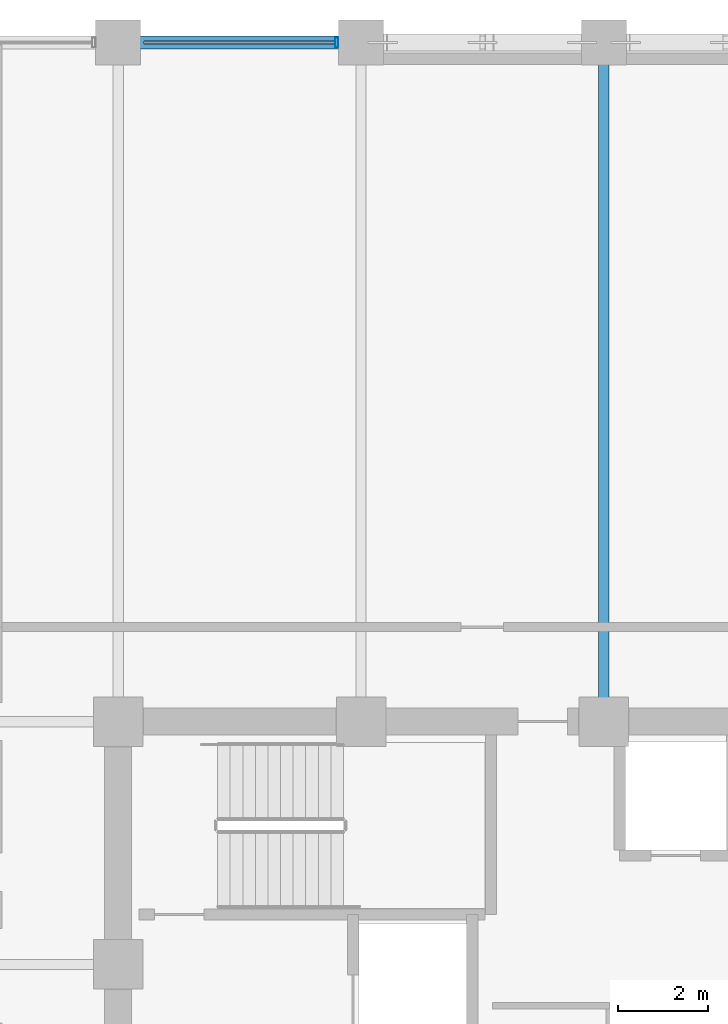
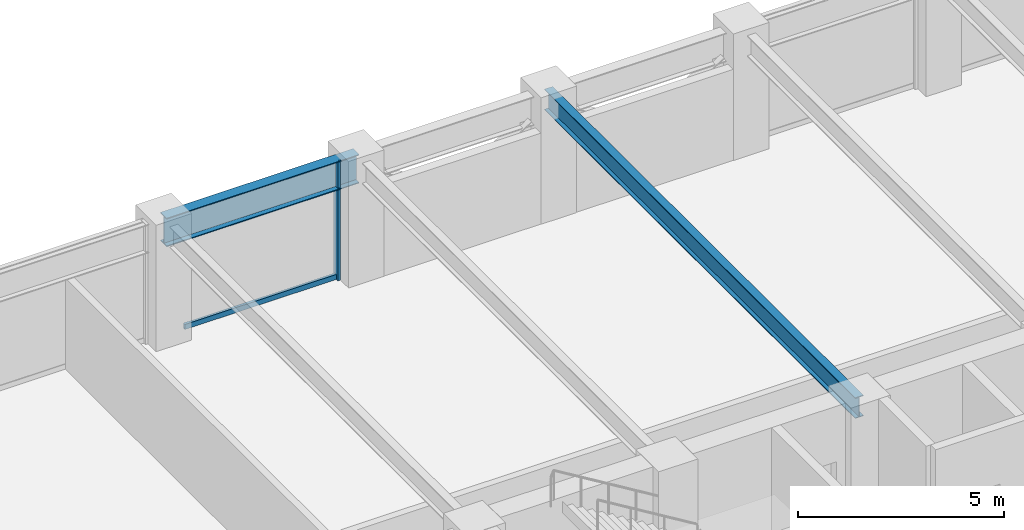
# One storey, part 15 of 29: 2 beams, 2 members, 1 element without a shape of its own.
"""IFC4 building model written with IfcOpenShell, lengths in metres."""

from ifc_helpers import new_model, si_unit, direction, frame, origin, origin_2d, place, context, subcontext, project, spatial, hollow_rectangle, i_section, extrude, material, layer, layer_set, material_profile, profile_set, type_object, element, aggregate, save


model = new_model("IFC4")

# Units and contexts
model_context = context("Model", 3, precision=1e-05, world=origin(), true_north=direction((0.0, 1.0)))
body_context = subcontext(model_context, "Body", "Model", "MODEL_VIEW")
ifc_project = project(units=[si_unit("LENGTHUNIT", "METRE"), si_unit("AREAUNIT", "SQUARE_METRE"), si_unit("VOLUMEUNIT", "CUBIC_METRE"), si_unit("PLANEANGLEUNIT", "RADIAN"), si_unit("MASSUNIT", "GRAM", prefix="KILO")], contexts=[model_context])

# Site, building, storey
site_placement = place(None, origin())
site = spatial("IfcSite", under=ifc_project, at=site_placement, CompositionType="ELEMENT")
building_placement = place(site_placement, origin())
building = spatial("IfcBuilding", under=site, at=building_placement, Name="Surkhivell Harbour Commons", CompositionType="ELEMENT")
storey_placement = place(building_placement, frame((0.0, 0.0, 150.75)))
storey = spatial("IfcBuildingStorey", under=building, at=storey_placement, Name="L39", CompositionType="ELEMENT", Elevation=150.75)

# Beams
ifc_material_1 = material(Name="Steel S355", Category="steel")
ifc_material_profile_1 = material_profile(ifc_material_1, i_section(OverallWidth=0.22998046875, OverallDepth=0.616943359375, WebThickness=0.01318359375, FlangeThickness=0.022216796875, at=origin_2d()), Name="UB610x229x140")
ifc_profile_set_1 = profile_set([ifc_material_profile_1], Name="Steel S355")
beam_type_1 = type_object("IfcBeamType", Name="BM-GRD-610B", PredefinedType="BEAM", material=ifc_profile_set_1)
beam_1_placement = place(storey_placement, frame((0.0, 10.800048828125, 3.261474609375), z_axis=(0.0, 1.0, 0.0), x_axis=(-1.0, 0.0, 0.0)))
element("IfcBeam", 1, at=beam_1_placement, inside=storey, type_object=beam_type_1, Name="L39 Floor Girder (0.0,10.8)", PredefinedType="BEAM", context=body_context, shape_type="SweptSolid", body=[
    extrude(i_section(OverallWidth=0.22998046875, OverallDepth=0.616943359375, WebThickness=0.01318359375, FlangeThickness=0.022216796875, at=origin_2d()), origin(), (0.0, 0.0, 1.0), 15.099853515625),
])
ifc_material_2 = material(Name="Steel S460", Category="steel")
ifc_material_profile_2 = material_profile(ifc_material_2, i_section(OverallWidth=0.2939453125, OverallDepth=0.85107421875, WebThickness=0.01611328125, FlangeThickness=0.02685546875, at=origin_2d()), Name="UB838x292x226")
ifc_profile_set_2 = profile_set([ifc_material_profile_2], Name="Steel S460")
beam_type_2 = type_object("IfcBeamType", Name="BM-SPN-838", PredefinedType="SPANDREL", material=ifc_profile_set_2)
beam_2_placement = place(storey_placement, frame((-10.800048828125, 25.89990234375, 3.14453125), z_axis=(1.0, 0.0, 0.0), x_axis=(0.0, 1.0, 0.0)))
element("IfcBeam", 2, at=beam_2_placement, inside=storey, type_object=beam_type_2, Name="L39 Tube Spandrel (-10.8,25.9)", PredefinedType="SPANDREL", context=body_context, shape_type="SweptSolid", body=[
    extrude(i_section(OverallWidth=0.2939453125, OverallDepth=0.85107421875, WebThickness=0.01611328125, FlangeThickness=0.02685546875, at=origin_2d()), origin(), (0.0, 0.0, 1.0), 5.400146484375),
])

# Curtain wall, members
ifc_material_3 = material(Name="Anodised pale-metal aluminium and insulated glazing", Category="aluminium")
ifc_layer = layer(ifc_material_3, 0.205078125)
ifc_layer_set = layer_set([ifc_layer], Name="Anodised pale-metal aluminium and insulated glazing")
curtain_wall_type = type_object("IfcCurtainWallType", Name="CW-SYS-Z2", PredefinedType="NOTDEFINED", material=ifc_layer_set)
curtain_wall_placement = place(storey_placement, origin())
curtain_wall = element("IfcCurtainWall", 3, at=curtain_wall_placement, inside=storey, type_object=curtain_wall_type, Name="L39 Curtain Wall CW-L39-E07S2", PredefinedType="NOTDEFINED")
ifc_material_4 = material(Name="Anodised pale-metal aluminium alloy 6063-T6", Category="aluminium")
ifc_material_profile_3 = material_profile(ifc_material_4, hollow_rectangle(XDim=0.074951171875, YDim=0.219970703125, WallThickness=0.00390625, at=origin_2d()), Name="ALU-MULL-75x220")
ifc_profile_set_3 = profile_set([ifc_material_profile_3], Name="Anodised pale-metal aluminium alloy 6063-T6")
member_type_1 = type_object("IfcMemberType", Name="CWM-220", PredefinedType="MULLION", material=ifc_profile_set_3)
member_1_placement = place(storey_placement, frame((-5.939453125, 25.89990234375, 0.0), z_axis=(0.0, 0.0, 1.0), x_axis=(-1.0, 0.0, 0.0)))
member_1 = element("IfcMember", 4, at=member_1_placement, type_object=member_type_1, Name="CW-Z2 mullion 1", PredefinedType="MULLION", context=body_context, shape_type="SweptSolid", body=[
    extrude(hollow_rectangle(XDim=0.074951171875, YDim=0.219970703125, WallThickness=0.00390625, at=origin_2d()), origin(), (0.0, 0.0, 1.0), 3.570068359375),
])
ifc_material_profile_4 = material_profile(ifc_material_4, hollow_rectangle(XDim=0.074951171875, YDim=0.14990234375, WallThickness=0.00341796875, at=origin_2d()), Name="ALU-TRAN-75x150")
ifc_profile_set_4 = profile_set([ifc_material_profile_4], Name="Anodised pale-metal aluminium alloy 6063-T6")
member_type_2 = type_object("IfcMemberType", Name="CWT-150", PredefinedType="USERDEFINED", material=ifc_profile_set_4)
member_2_placement = place(storey_placement, frame((-5.97705078125, 25.89990234375, 0.074951171875), z_axis=(-1.0, 0.0, 0.0), x_axis=(0.0, -1.0, 0.0)))
member_2 = element("IfcMember", 5, at=member_2_placement, type_object=member_type_2, Name="CW-Z2 transom 1.1", ObjectType="TRANSOM", PredefinedType="USERDEFINED", context=body_context, shape_type="SweptSolid", body=[
    extrude(hollow_rectangle(XDim=0.074951171875, YDim=0.14990234375, WallThickness=0.00341796875, at=origin_2d()), origin(), (0.0, 0.0, 1.0), 4.245849609375),
])
aggregate(curtain_wall, [member_1, member_2])

save(model, "model.ifc")
